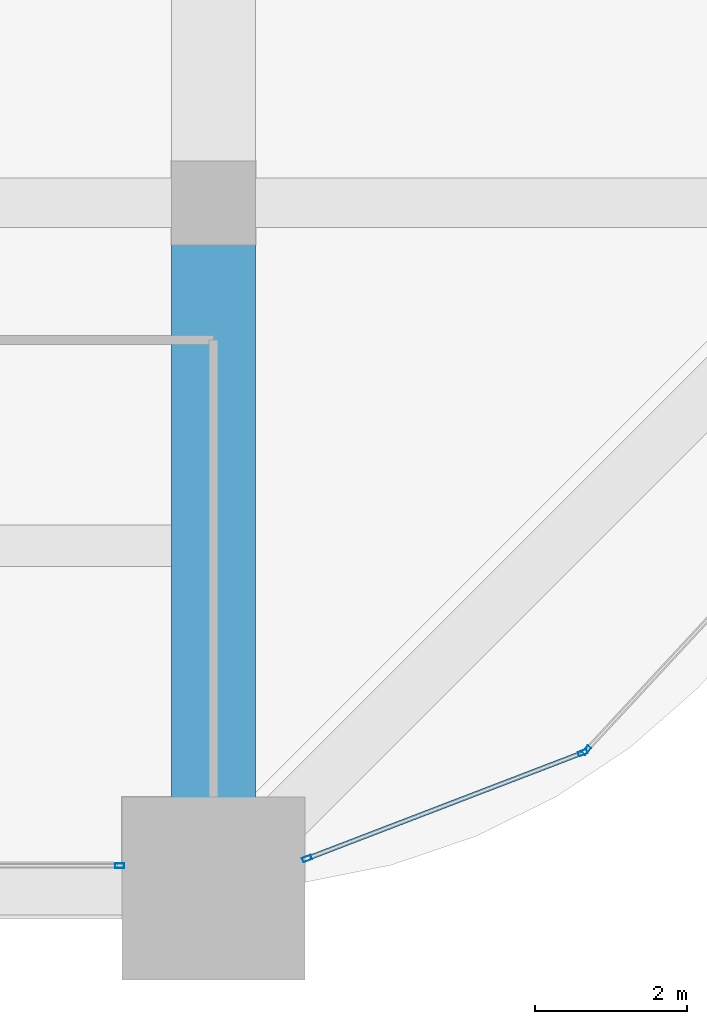
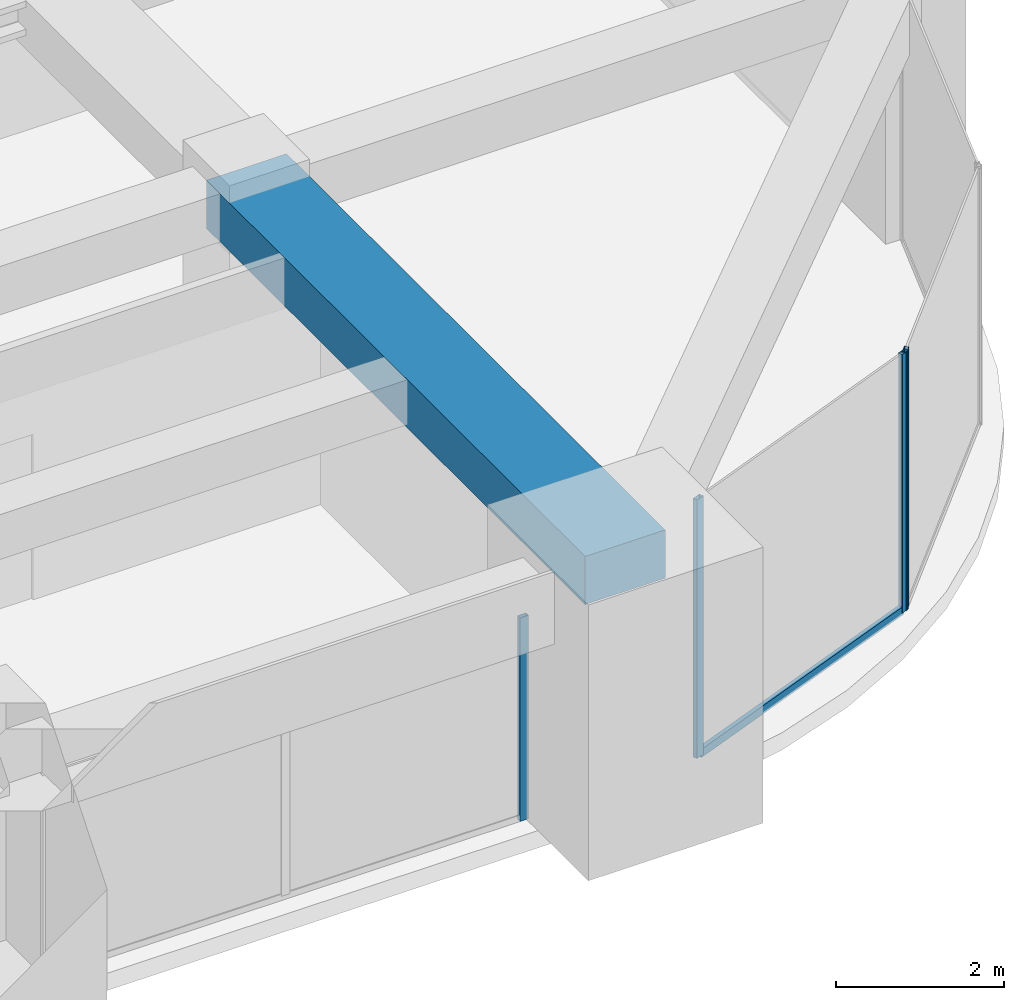
# One storey, part 18 of 45: 5 members, 1 beam, 3 elements without a shape of their own.
"""IFC4 building model written with IfcOpenShell, lengths in metres."""

from ifc_helpers import new_model, si_unit, direction, frame, origin, origin_2d, place, context, subcontext, project, spatial, rectangle, hollow_rectangle, extrude, material, material_profile, profile_set, type_object, element, aggregate, save


model = new_model("IFC4")

# Units and contexts
model_context = context("Model", 3, precision=1e-05, world=origin(), true_north=direction((0.0, 1.0)))
body_context = subcontext(model_context, "Body", "Model", "MODEL_VIEW")
ifc_project = project(units=[si_unit("LENGTHUNIT", "METRE"), si_unit("AREAUNIT", "SQUARE_METRE"), si_unit("VOLUMEUNIT", "CUBIC_METRE"), si_unit("PLANEANGLEUNIT", "RADIAN"), si_unit("MASSUNIT", "GRAM", prefix="KILO")], contexts=[model_context])

# Site, building, storey
site_placement = place(None, origin())
site = spatial("IfcSite", under=ifc_project, at=site_placement, CompositionType="ELEMENT")
building_placement = place(site_placement, origin())
building = spatial("IfcBuilding", under=site, at=building_placement, Name="Zorevar Civic Tower", CompositionType="ELEMENT")
storey_placement = place(building_placement, frame((0.0, 0.0, 247.39990234375)))
storey = spatial("IfcBuildingStorey", under=building, at=storey_placement, Name="L60", CompositionType="ELEMENT", Elevation=247.39990234375)

# Beam
ifc_material_1 = material(Name="Concrete C50/60", Category="concrete")
ifc_material_profile_1 = material_profile(ifc_material_1, rectangle(XDim=1.10009765625, YDim=0.699951171875, at=origin_2d()), Name="RC 1100x700")
ifc_profile_set_1 = profile_set([ifc_material_profile_1], Name="Concrete C50/60")
beam_type = type_object("IfcBeamType", Name="Beam RC 1100x700", PredefinedType="BEAM", material=ifc_profile_set_1)
beam_placement = place(storey_placement, frame((45.0, 0.0, 3.400146484375), z_axis=(0.0, 1.0, 0.0), x_axis=(-1.0, 0.0, 0.0)))
element("IfcBeam", 1, at=beam_placement, inside=storey, type_object=beam_type, Name="Girder L61", PredefinedType="BEAM", context=body_context, shape_type="SweptSolid", body=[
    extrude(rectangle(XDim=1.10009765625, YDim=0.699951171875, at=origin_2d()), origin(), (0.0, 0.0, 1.0), 9.0),
])

# Curtain wall, member
ifc_material_2 = material(Name="Dark grey solar-control glass in black aluminium frame", Category="aluminium")
curtain_wall_type = type_object("IfcCurtainWallType", Name="Curtain wall CW5 top zone", PredefinedType="NOTDEFINED", material=ifc_material_2)
curtain_wall_1_placement = place(storey_placement, origin())
curtain_wall_1 = element("IfcCurtainWall", 2, at=curtain_wall_1_placement, inside=storey, type_object=curtain_wall_type, Name="CW5 L60", PredefinedType="NOTDEFINED")
ifc_material_3 = material(Name="Aluminium, black anodised", Category="aluminium")
ifc_material_profile_2 = material_profile(ifc_material_3, hollow_rectangle(XDim=0.06005859375, YDim=0.1201171875, WallThickness=0.0029296875, at=origin_2d()), Name="AL 120x60x3")
ifc_profile_set_2 = profile_set([ifc_material_profile_2], Name="Aluminium, black anodised")
member_type_1 = type_object("IfcMemberType", Name="CW5 mullion AL 120x60x3", PredefinedType="MULLION", material=ifc_profile_set_2)
member_1_placement = place(storey_placement, frame((43.77001953125, 0.300048828125, 0.0), z_axis=(0.0, 0.0, 1.0), x_axis=(0.0, 1.0, 0.0)))
member_1 = element("IfcMember", 3, at=member_1_placement, type_object=member_type_1, Name="CW5 mullion 3", PredefinedType="MULLION", context=body_context, shape_type="SweptSolid", body=[
    extrude(hollow_rectangle(XDim=0.06005859375, YDim=0.1201171875, WallThickness=0.0029296875, at=origin_2d()), origin(), (0.0, 0.0, 1.0), 2.9501953125),
])
aggregate(curtain_wall_1, [member_1])

# Curtain wall, members
curtain_wall_2_placement = place(storey_placement, origin())
curtain_wall_2 = element("IfcCurtainWall", 4, at=curtain_wall_2_placement, inside=storey, type_object=curtain_wall_type, Name="CW5 L60", PredefinedType="NOTDEFINED")
member_2_placement = place(storey_placement, frame((46.22802734375, 0.39404296875, 0.0), z_axis=(0.0, 0.0, 1.0), x_axis=(-0.358412771707, 0.933563219647, 0.0)))
member_2 = element("IfcMember", 5, at=member_2_placement, type_object=member_type_1, Name="CW5 mullion 1", PredefinedType="MULLION", context=body_context, shape_type="SweptSolid", body=[
    extrude(hollow_rectangle(XDim=0.06005859375, YDim=0.1201171875, WallThickness=0.0029296875, at=origin_2d()), origin(), (0.0, 0.0, 1.0), 3.75),
])
member_3_placement = place(storey_placement, frame((49.8466796875, 1.783203125, 0.0), z_axis=(0.0, 0.0, 1.0), x_axis=(-0.358412771707, 0.933563219647, 0.0)))
member_3 = element("IfcMember", 6, at=member_3_placement, type_object=member_type_1, Name="CW5 mullion 2", PredefinedType="MULLION", context=body_context, shape_type="SweptSolid", body=[
    extrude(hollow_rectangle(XDim=0.06005859375, YDim=0.1201171875, WallThickness=0.0029296875, at=origin_2d()), origin(), (0.0, 0.0, 1.0), 3.75),
])

# Curtain wall, member
curtain_wall_3_placement = place(storey_placement, origin())
curtain_wall_3 = element("IfcCurtainWall", 7, at=curtain_wall_3_placement, inside=storey, type_object=curtain_wall_type, Name="CW5 L60", PredefinedType="NOTDEFINED")
member_4_placement = place(storey_placement, frame((49.89501953125, 1.81591796875, 0.0), z_axis=(0.0, 0.0, 1.0), x_axis=(-0.733164425234, 0.680051413917, 0.0)))
member_4 = element("IfcMember", 8, at=member_4_placement, type_object=member_type_1, Name="CW5 mullion 1", PredefinedType="MULLION", context=body_context, shape_type="SweptSolid", body=[
    extrude(hollow_rectangle(XDim=0.06005859375, YDim=0.1201171875, WallThickness=0.0029296875, at=origin_2d()), origin(), (0.0, 0.0, 1.0), 3.75),
])
aggregate(curtain_wall_3, [member_4])

# Member
ifc_material_4 = material(Name="Aluminium, black anodised", Category="aluminium")
ifc_material_profile_3 = material_profile(ifc_material_4, hollow_rectangle(XDim=0.06005859375, YDim=0.1201171875, WallThickness=0.0029296875, at=origin_2d()), Name="AL 120x60x3")
ifc_profile_set_3 = profile_set([ifc_material_profile_3], Name="Aluminium, black anodised")
member_type_2 = type_object("IfcMemberType", Name="CW5 transom AL 120x60x3", PredefinedType="USERDEFINED", material=ifc_profile_set_3)
member_5_placement = place(storey_placement, frame((46.256103515625, 0.40478515625, 0.030029296875), z_axis=(0.933566384212, 0.358404528807, 0.0), x_axis=(-0.358404528807, 0.933566384212, 0.0)))
member_5 = element("IfcMember", 9, at=member_5_placement, type_object=member_type_2, Name="CW5 sill transom", ObjectType="TRANSOM", PredefinedType="USERDEFINED", context=body_context, shape_type="SweptSolid", body=[
    extrude(hollow_rectangle(XDim=0.06005859375, YDim=0.1201171875, WallThickness=0.0029296875, at=origin_2d()), origin(), (0.0, 0.0, 1.0), 3.81591796875),
])

aggregate(curtain_wall_2, [member_2, member_3, member_5])

save(model, "model.ifc")
